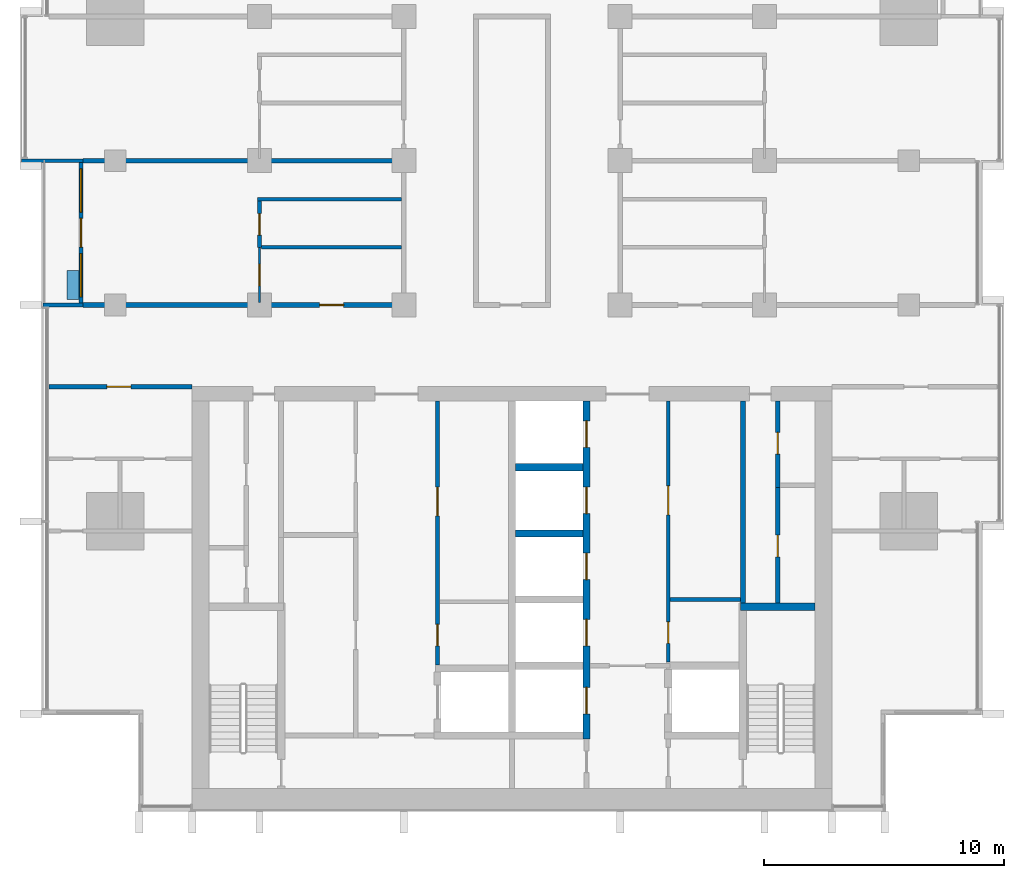
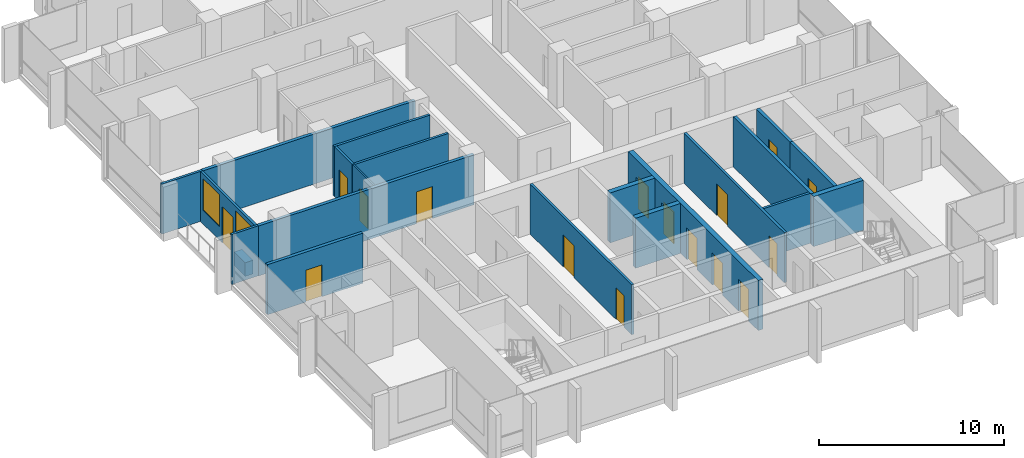
# One storey, part 8 of 16: 21 walls, 16 doors, 2 windows, 18 openings.
"""IFC4 building model written with IfcOpenShell, lengths in metres."""

from ifc_helpers import new_model, si_unit, direction, frame, frame_2d, origin, place, context, subcontext, project, spatial, rectangle, extrude, material, layer, layer_set, type_object, element, fill, save


model = new_model("IFC4")

# Units and contexts
model_context = context("Model", 3, precision=1e-05, world=origin(), true_north=direction((0.0, 1.0)))
body_context = subcontext(model_context, "Body", "Model", "MODEL_VIEW")
ifc_project = project(units=[si_unit("LENGTHUNIT", "METRE"), si_unit("AREAUNIT", "SQUARE_METRE"), si_unit("VOLUMEUNIT", "CUBIC_METRE"), si_unit("PLANEANGLEUNIT", "RADIAN"), si_unit("MASSUNIT", "GRAM", prefix="KILO")], contexts=[model_context])

# Site, building, storey
site_placement = place(None, origin())
site = spatial("IfcSite", under=ifc_project, at=site_placement, CompositionType="ELEMENT")
building_placement = place(site_placement, origin())
building = spatial("IfcBuilding", under=site, at=building_placement, Name="Finial Court Residences", CompositionType="ELEMENT")
storey_placement = place(building_placement, frame((0.0, 0.0, 178.10009765625)))
storey = spatial("IfcBuildingStorey", under=building, at=storey_placement, Name="L44", CompositionType="ELEMENT", Elevation=178.10009765625)

# Walls
ifc_material_1 = material(Name="Gypsum board")
ifc_layer_1 = layer(ifc_material_1, 0.02490234375)
ifc_material_2 = material(Name="Acoustic mineral wool in double frame")
ifc_layer_2 = layer(ifc_material_2, 0.14990234375)
ifc_layer_3 = layer(ifc_material_1, 0.02490234375)
ifc_layer_set_1 = layer_set([ifc_layer_1, ifc_layer_2, ifc_layer_3], Name="Acoustic party wall 200, 1 hour")
wall_type_1 = type_object("IfcWallType", Name="Acoustic party wall 200, 1 hour", PredefinedType="PARTITIONING", material=ifc_layer_set_1)
wall_1_placement = place(storey_placement, frame((-17.85009765625, 1.5, 0.0), z_axis=(0.0, 0.0, 1.0), x_axis=(1.0, 0.0, 0.0)))
element("IfcWall", 1, at=wall_1_placement, inside=storey, type_object=wall_type_1, Name="Partition L44-013", PredefinedType="PARTITIONING", context=body_context, shape_type="SweptSolid", body=[
    extrude(rectangle(XDim=13.25, YDim=0.199951171875, at=frame_2d((6.625, 0.0))), origin(), (0.0, 0.0, 1.0), 3.2998046875),
])
ifc_material_3 = material(Name="Fire-rated gypsum board partition")
ifc_layer_4 = layer(ifc_material_3, 0.14990234375)
ifc_layer_set_2 = layer_set([ifc_layer_4], Name="Core room partition 150 EI 60")
wall_type_2 = type_object("IfcWallType", Name="Core room partition 150 EI 60", PredefinedType="PARTITIONING", material=ifc_layer_set_2)
wall_2_placement = place(storey_placement, frame((6.574951171875, -16.75, 0.0), z_axis=(0.0, 0.0, 1.0), x_axis=(1.0, 0.0, 0.0)))
element("IfcWall", 2, at=wall_2_placement, inside=storey, type_object=wall_type_2, Name="Core partition L44-13", PredefinedType="PARTITIONING", context=body_context, shape_type="SweptSolid", body=[
    extrude(rectangle(XDim=2.925048828125, YDim=0.14990234375, at=frame_2d((1.46240234375, 0.0))), origin(), (0.0, 0.0, 1.0), 3.2998046875),
])

# Wall, openings, doors
wall_3_placement = place(storey_placement, frame((-3.10009765625, -8.5, 0.0), z_axis=(0.0, 0.0, 1.0), x_axis=(0.0, -1.0, 0.0)))
wall_3 = element("IfcWall", 3, at=wall_3_placement, inside=storey, type_object=wall_type_2, Name="Core partition L44-27", PredefinedType="PARTITIONING", context=body_context, shape_type="SweptSolid", body=[
    extrude(rectangle(XDim=10.969970703125, YDim=0.14990234375, at=frame_2d((5.48486328125, 0.0))), origin(), (0.0, 0.0, 1.0), 3.2998046875),
])
opening_1_placement = place(wall_3_placement, frame((9.280029296875, 0.0, 0.0)))
opening_1 = element("IfcOpeningElement", 4, at=opening_1_placement, cuts=wall_3, Name="Opening L44-C15", PredefinedType="OPENING", context=body_context, shape_type="SweptSolid", body=[
    extrude(rectangle(XDim=0.89990234375, YDim=2.10009765625, at=frame_2d((0.449951171875, 1.050048828125))), frame((0.0, 0.0849609375, 0.0), z_axis=(0.0, -1.0, 0.0), x_axis=(1.0, 0.0, 0.0)), (0.0, 0.0, 1.0), 0.169921875),
])
opening_2_placement = place(wall_3_placement, frame((3.570068359375, 0.0, 0.0)))
opening_2 = element("IfcOpeningElement", 5, at=opening_2_placement, cuts=wall_3, Name="Opening L44-C16", PredefinedType="OPENING", context=body_context, shape_type="SweptSolid", body=[
    extrude(rectangle(XDim=1.199951171875, YDim=2.10009765625, at=frame_2d((0.60009765625, 1.050048828125))), frame((0.0, 0.0849609375, 0.0), z_axis=(0.0, -1.0, 0.0), x_axis=(1.0, 0.0, 0.0)), (0.0, 0.0, 1.0), 0.169921875),
])
ifc_material_4 = material(Name="Steel fire door", Category="steel")
door_type_1 = type_object("IfcDoorType", Name="Core room door 1200 x 2100 EI 60", OperationType="NOTDEFINED", PredefinedType="DOOR", material=ifc_material_4)
door_1_placement = place(opening_2_placement, origin())
door_1 = element("IfcDoor", 6, at=door_1_placement, inside=storey, type_object=door_type_1, Name="Core room door L44-C16", OperationType="SINGLE_SWING_RIGHT", OverallHeight=2.10009765625, OverallWidth=1.199951171875, PredefinedType="DOOR", context=body_context, shape_type="SweptSolid", body=[
    extrude(rectangle(XDim=1.199951171875, YDim=2.10009765625, at=frame_2d((0.60009765625, 1.050048828125))), frame((0.0, 0.02490234375, 0.0), z_axis=(0.0, -1.0, 0.0), x_axis=(1.0, 0.0, 0.0)), (0.0, 0.0, 1.0), 0.050048828125),
])
fill(opening_2, door_1)
door_type_2 = type_object("IfcDoorType", Name="Core room door 900 x 2100 EI 60", OperationType="NOTDEFINED", PredefinedType="DOOR", material=ifc_material_4)
door_2_placement = place(opening_1_placement, origin())
door_2 = element("IfcDoor", 7, at=door_2_placement, inside=storey, type_object=door_type_2, Name="Core room door L44-C15", OperationType="SINGLE_SWING_RIGHT", OverallHeight=2.10009765625, OverallWidth=0.89990234375, PredefinedType="DOOR", context=body_context, shape_type="SweptSolid", body=[
    extrude(rectangle(XDim=0.89990234375, YDim=2.10009765625, at=frame_2d((0.449951171875, 1.050048828125))), frame((0.0, 0.02490234375, 0.0), z_axis=(0.0, -1.0, 0.0), x_axis=(1.0, 0.0, 0.0)), (0.0, 0.0, 1.0), 0.050048828125),
])
fill(opening_1, door_2)

wall_4_placement = place(storey_placement, frame((6.5, -8.5, 0.0), z_axis=(0.0, 0.0, 1.0), x_axis=(0.0, -1.0, 0.0)))
wall_4 = element("IfcWall", 8, at=wall_4_placement, inside=storey, type_object=wall_type_2, Name="Core partition L44-34", PredefinedType="PARTITIONING", context=body_context, shape_type="SweptSolid", body=[
    extrude(rectangle(XDim=10.85009765625, YDim=0.14990234375, at=frame_2d((5.425048828125, 0.0))), origin(), (0.0, 0.0, 1.0), 3.2998046875),
])
opening_3_placement = place(wall_4_placement, frame((9.175048828125, 0.0, 0.0)))
opening_3 = element("IfcOpeningElement", 9, at=opening_3_placement, cuts=wall_4, Name="Opening L44-C17", PredefinedType="OPENING", context=body_context, shape_type="SweptSolid", body=[
    extrude(rectangle(XDim=0.89990234375, YDim=2.10009765625, at=frame_2d((0.449951171875, 1.050048828125))), frame((0.0, 0.0849609375, 0.0), z_axis=(0.0, -1.0, 0.0), x_axis=(1.0, 0.0, 0.0)), (0.0, 0.0, 1.0), 0.169921875),
])
opening_4_placement = place(wall_4_placement, frame((3.52490234375, 0.0, 0.0)))
opening_4 = element("IfcOpeningElement", 10, at=opening_4_placement, cuts=wall_4, Name="Opening L44-C18", PredefinedType="OPENING", context=body_context, shape_type="SweptSolid", body=[
    extrude(rectangle(XDim=1.199951171875, YDim=2.10009765625, at=frame_2d((0.60009765625, 1.050048828125))), frame((0.0, 0.0849609375, 0.0), z_axis=(0.0, -1.0, 0.0), x_axis=(1.0, 0.0, 0.0)), (0.0, 0.0, 1.0), 0.169921875),
])
door_3_placement = place(opening_4_placement, origin())
door_3 = element("IfcDoor", 11, at=door_3_placement, inside=storey, type_object=door_type_1, Name="Core room door L44-C18", OperationType="SINGLE_SWING_RIGHT", OverallHeight=2.10009765625, OverallWidth=1.199951171875, PredefinedType="DOOR", context=body_context, shape_type="SweptSolid", body=[
    extrude(rectangle(XDim=1.199951171875, YDim=2.10009765625, at=frame_2d((0.60009765625, 1.050048828125))), frame((0.0, 0.02490234375, 0.0), z_axis=(0.0, -1.0, 0.0), x_axis=(1.0, 0.0, 0.0)), (0.0, 0.0, 1.0), 0.050048828125),
])
fill(opening_4, door_3)
door_4_placement = place(opening_3_placement, origin())
door_4 = element("IfcDoor", 12, at=door_4_placement, inside=storey, type_object=door_type_2, Name="Core room door L44-C17", OperationType="SINGLE_SWING_RIGHT", OverallHeight=2.10009765625, OverallWidth=0.89990234375, PredefinedType="DOOR", context=body_context, shape_type="SweptSolid", body=[
    extrude(rectangle(XDim=0.89990234375, YDim=2.10009765625, at=frame_2d((0.449951171875, 1.050048828125))), frame((0.0, 0.02490234375, 0.0), z_axis=(0.0, -1.0, 0.0), x_axis=(1.0, 0.0, 0.0)), (0.0, 0.0, 1.0), 0.050048828125),
])
fill(opening_3, door_4)

# Wall, opening, door
ifc_layer_5 = layer(ifc_material_1, 0.02490234375)
ifc_layer_6 = layer(ifc_material_2, 0.14990234375)
ifc_layer_7 = layer(ifc_material_1, 0.02490234375)
ifc_layer_set_3 = layer_set([ifc_layer_5, ifc_layer_6, ifc_layer_7], Name="Corridor wall 200, 1 hour")
wall_type_3 = type_object("IfcWallType", Name="Corridor wall 200, 1 hour", PredefinedType="PARTITIONING", material=ifc_layer_set_3)
wall_5_placement = place(storey_placement, frame((-19.262451171875, -7.89990234375, 0.0), z_axis=(0.0, 0.0, 1.0), x_axis=(1.0, 0.0, 0.0)))
wall_5 = element("IfcWall", 13, at=wall_5_placement, inside=storey, type_object=wall_type_3, Name="Partition L44-004", PredefinedType="PARTITIONING", context=body_context, shape_type="SweptSolid", body=[
    extrude(rectangle(XDim=5.96240234375, YDim=0.199951171875, at=frame_2d((2.981201171875, 0.0))), origin(), (0.0, 0.0, 1.0), 3.2998046875),
])
opening_5_placement = place(wall_5_placement, frame((2.412109375, 0.0, 0.0)))
opening_5 = element("IfcOpeningElement", 14, at=opening_5_placement, cuts=wall_5, Name="Opening L44-D007", PredefinedType="OPENING", context=body_context, shape_type="SweptSolid", body=[
    extrude(rectangle(XDim=1.0, YDim=2.10009765625, at=frame_2d((0.5, 1.050048828125))), frame((0.0, 0.10986328125, 0.0), z_axis=(0.0, -1.0, 0.0), x_axis=(1.0, 0.0, 0.0)), (0.0, 0.0, 1.0), 0.219970703125),
])
ifc_material_5 = material(Name="Timber door leaf in hollow metal frame", Category="wood")
door_type_3 = type_object("IfcDoorType", Name="Fire door set 1000 x 2100, 30 minutes", OperationType="SINGLE_SWING_LEFT", PredefinedType="DOOR", material=ifc_material_5)
door_5_placement = place(opening_5_placement, origin())
door_5 = element("IfcDoor", 15, at=door_5_placement, inside=storey, type_object=door_type_3, Name="Door L44-D007", OperationType="SINGLE_SWING_LEFT", OverallHeight=2.10009765625, OverallWidth=1.0, PredefinedType="DOOR", context=body_context, shape_type="SweptSolid", body=[
    extrude(rectangle(XDim=1.0, YDim=2.10009765625, at=frame_2d((0.5, 1.050048828125))), frame((0.0, 0.02490234375, 0.0), z_axis=(0.0, -1.0, 0.0), x_axis=(1.0, 0.0, 0.0)), (0.0, 0.0, 1.0), 0.050048828125),
])
fill(opening_5, door_5)

wall_6_placement = place(storey_placement, frame((-17.85009765625, -4.5, 0.0), z_axis=(0.0, 0.0, 1.0), x_axis=(1.0, 0.0, 0.0)))
wall_6 = element("IfcWall", 16, at=wall_6_placement, inside=storey, type_object=wall_type_3, Name="Partition L44-006", PredefinedType="PARTITIONING", context=body_context, shape_type="SweptSolid", body=[
    extrude(rectangle(XDim=13.4501953125, YDim=0.199951171875, at=frame_2d((6.72509765625, 0.0))), origin(), (0.0, 0.0, 1.0), 3.2998046875),
])
opening_6_placement = place(wall_6_placement, frame((9.85009765625, 0.0, 0.0)))
opening_6 = element("IfcOpeningElement", 17, at=opening_6_placement, cuts=wall_6, Name="Opening L44-D009", PredefinedType="OPENING", context=body_context, shape_type="SweptSolid", body=[
    extrude(rectangle(XDim=1.0, YDim=2.10009765625, at=frame_2d((0.5, 1.050048828125))), frame((0.0, 0.10986328125, 0.0), z_axis=(0.0, -1.0, 0.0), x_axis=(1.0, 0.0, 0.0)), (0.0, 0.0, 1.0), 0.219970703125),
])
door_6_placement = place(opening_6_placement, origin())
door_6 = element("IfcDoor", 18, at=door_6_placement, inside=storey, type_object=door_type_3, Name="Door L44-D009", OperationType="SINGLE_SWING_LEFT", OverallHeight=2.10009765625, OverallWidth=1.0, PredefinedType="DOOR", context=body_context, shape_type="SweptSolid", body=[
    extrude(rectangle(XDim=1.0, YDim=2.10009765625, at=frame_2d((0.5, 1.050048828125))), frame((0.0, 0.02490234375, 0.0), z_axis=(0.0, -1.0, 0.0), x_axis=(1.0, 0.0, 0.0)), (0.0, 0.0, 1.0), 0.050048828125),
])
fill(opening_6, door_6)

ifc_layer_8 = layer(ifc_material_1, 0.012451171875)
ifc_material_6 = material(Name="Mineral wool in light-gauge frame")
ifc_layer_9 = layer(ifc_material_6, 0.074951171875)
ifc_layer_10 = layer(ifc_material_1, 0.012451171875)
ifc_layer_set_4 = layer_set([ifc_layer_8, ifc_layer_9, ifc_layer_10], Name="Gypsum board partition 100")
wall_type_4 = type_object("IfcWallType", Name="Gypsum board partition 100", PredefinedType="PARTITIONING", material=ifc_layer_set_4)
wall_7_placement = place(storey_placement, frame((-10.5, -4.39990234375, 0.0), z_axis=(0.0, 0.0, 1.0), x_axis=(0.0, 1.0, 0.0)))
wall_7 = element("IfcWall", 19, at=wall_7_placement, inside=storey, type_object=wall_type_4, Name="Partition L44-037", PredefinedType="PARTITIONING", context=body_context, shape_type="SweptSolid", body=[
    extrude(rectangle(XDim=2.2998046875, YDim=0.10009765625, at=frame_2d((1.14990234375, 0.0))), origin(), (0.0, 0.0, 1.0), 3.2998046875),
])
opening_7_placement = place(wall_7_placement, frame((0.699951171875, 0.0, 0.0)))
opening_7 = element("IfcOpeningElement", 20, at=opening_7_placement, cuts=wall_7, Name="Opening L44-D023", PredefinedType="OPENING", context=body_context, shape_type="SweptSolid", body=[
    extrude(rectangle(XDim=0.89990234375, YDim=2.10009765625, at=frame_2d((0.449951171875, 1.050048828125))), frame((0.0, 0.06005859375, 0.0), z_axis=(0.0, -1.0, 0.0), x_axis=(1.0, 0.0, 0.0)), (0.0, 0.0, 1.0), 0.1201171875),
])
ifc_material_7 = material(Name="Timber door leaf in timber frame", Category="wood")
door_type_4 = type_object("IfcDoorType", Name="Door set 900 x 2100", OperationType="SINGLE_SWING_LEFT", PredefinedType="DOOR", material=ifc_material_7)
door_7_placement = place(opening_7_placement, origin())
door_7 = element("IfcDoor", 21, at=door_7_placement, inside=storey, type_object=door_type_4, Name="Door L44-D023", OperationType="SINGLE_SWING_LEFT", OverallHeight=2.10009765625, OverallWidth=0.89990234375, PredefinedType="DOOR", context=body_context, shape_type="SweptSolid", body=[
    extrude(rectangle(XDim=0.89990234375, YDim=2.10009765625, at=frame_2d((0.449951171875, 1.050048828125))), frame((0.0, 0.02490234375, 0.0), z_axis=(0.0, -1.0, 0.0), x_axis=(1.0, 0.0, 0.0)), (0.0, 0.0, 1.0), 0.050048828125),
])
fill(opening_7, door_7)

# Walls
ifc_material_8 = material(Name="Moisture-resistant gypsum board")
ifc_layer_11 = layer(ifc_material_8, 0.012451171875)
ifc_layer_12 = layer(ifc_material_6, 0.125)
ifc_layer_13 = layer(ifc_material_8, 0.012451171875)
ifc_layer_set_5 = layer_set([ifc_layer_11, ifc_layer_12, ifc_layer_13], Name="Gypsum board wet-area partition 150")
wall_type_5 = type_object("IfcWallType", Name="Gypsum board wet-area partition 150", PredefinedType="PARTITIONING", material=ifc_layer_set_5)
wall_8_placement = place(storey_placement, frame((-10.425048828125, -2.10009765625, 0.0), z_axis=(0.0, 0.0, 1.0), x_axis=(1.0, 0.0, 0.0)))
element("IfcWall", 22, at=wall_8_placement, inside=storey, type_object=wall_type_5, Name="Partition L44-009", PredefinedType="PARTITIONING", context=body_context, shape_type="SweptSolid", body=[
    extrude(rectangle(XDim=5.824951171875, YDim=0.14990234375, at=frame_2d((2.91259765625, 0.0))), origin(), (0.0, 0.0, 1.0), 3.2998046875),
])
wall_9_placement = place(storey_placement, frame((-10.574951171875, -0.10009765625, 0.0), z_axis=(0.0, 0.0, 1.0), x_axis=(1.0, 0.0, 0.0)))
element("IfcWall", 23, at=wall_9_placement, inside=storey, type_object=wall_type_5, Name="Partition L44-011", PredefinedType="PARTITIONING", context=body_context, shape_type="SweptSolid", body=[
    extrude(rectangle(XDim=5.974853515625, YDim=0.14990234375, at=frame_2d((2.9873046875, 0.0))), origin(), (0.0, 0.0, 1.0), 3.2998046875),
])

# Wall, opening, door
wall_10_placement = place(storey_placement, frame((-10.5, -2.10009765625, 0.0), z_axis=(0.0, 0.0, 1.0), x_axis=(0.0, 1.0, 0.0)))
wall_10 = element("IfcWall", 24, at=wall_10_placement, inside=storey, type_object=wall_type_5, Name="Partition L44-040", PredefinedType="PARTITIONING", context=body_context, shape_type="SweptSolid", body=[
    extrude(rectangle(XDim=1.925048828125, YDim=0.14990234375, at=frame_2d((0.96240234375, 0.0))), origin(), (0.0, 0.0, 1.0), 3.2998046875),
])
opening_8_placement = place(wall_10_placement, frame((0.5, 0.0, 0.0)))
opening_8 = element("IfcOpeningElement", 25, at=opening_8_placement, cuts=wall_10, Name="Opening L44-D026", PredefinedType="OPENING", context=body_context, shape_type="SweptSolid", body=[
    extrude(rectangle(XDim=0.89990234375, YDim=2.10009765625, at=frame_2d((0.449951171875, 1.050048828125))), frame((0.0, 0.0849609375, 0.0), z_axis=(0.0, -1.0, 0.0), x_axis=(1.0, 0.0, 0.0)), (0.0, 0.0, 1.0), 0.169921875),
])
door_8_placement = place(opening_8_placement, origin())
door_8 = element("IfcDoor", 26, at=door_8_placement, inside=storey, type_object=door_type_4, Name="Door L44-D026", OperationType="SINGLE_SWING_RIGHT", OverallHeight=2.10009765625, OverallWidth=0.89990234375, PredefinedType="DOOR", context=body_context, shape_type="SweptSolid", body=[
    extrude(rectangle(XDim=0.89990234375, YDim=2.10009765625, at=frame_2d((0.449951171875, 1.050048828125))), frame((0.0, 0.02490234375, 0.0), z_axis=(0.0, -1.0, 0.0), x_axis=(1.0, 0.0, 0.0)), (0.0, 0.0, 1.0), 0.050048828125),
])
fill(opening_8, door_8)

# Walls
ifc_material_9 = material(Name="Concrete C70/85", Category="concrete")
ifc_layer_14 = layer(ifc_material_9, 0.300048828125)
ifc_layer_set_6 = layer_set([ifc_layer_14], Name="Lift shaft and stair wall 300 Concrete C70/85")
wall_type_6 = type_object("IfcWallType", Name="Lift shaft and stair wall 300 Concrete C70/85", PredefinedType="SHEAR", material=ifc_layer_set_6)
wall_11_placement = place(storey_placement, frame((9.5, -17.050048828125, 0.0), z_axis=(0.0, 0.0, 1.0), x_axis=(1.0, 0.0, 0.0)))
element("IfcWall", 27, at=wall_11_placement, inside=storey, type_object=wall_type_6, Name="Core wall L44-10", PredefinedType="SHEAR", context=body_context, shape_type="SweptSolid", body=[
    extrude(rectangle(XDim=3.10009765625, YDim=0.300048828125, at=frame_2d((1.550048828125, 0.0))), origin(), (0.0, 0.0, 1.0), 3.2998046875),
])
for number, where, z_axis, x_axis, name in (
    (28, (0.14990234375, -14.0, 0.0), (0.0, 0.0, 1.0), (1.0, 0.0, 0.0), "Core wall L44-16"),
    (29, (0.14990234375, -11.25, 0.0), (0.0, 0.0, 1.0), (1.0, 0.0, 0.0), "Core wall L44-18"),
):
    element("IfcWall", number, at=place(storey_placement, frame(where, z_axis=z_axis, x_axis=x_axis)), inside=storey, type_object=wall_type_6, Name=name, PredefinedType="SHEAR", context=body_context, shape_type="SweptSolid", body=[
        extrude(rectangle(XDim=2.800048828125, YDim=0.300048828125, at=frame_2d((1.39990234375, 0.0))), origin(), (0.0, 0.0, 1.0), 3.2998046875),
    ])

# Wall, openings, doors
wall_12_placement = place(storey_placement, frame((3.10009765625, -22.550048828125, 0.0), z_axis=(0.0, 0.0, 1.0), x_axis=(0.0, 1.0, 0.0)))
wall_12 = element("IfcWall", 30, at=wall_12_placement, inside=storey, type_object=wall_type_6, Name="Core wall L44-31", PredefinedType="SHEAR", context=body_context, shape_type="SweptSolid", body=[
    extrude(rectangle(XDim=14.050048828125, YDim=0.300048828125, at=frame_2d((7.02490234375, 0.0))), origin(), (0.0, 0.0, 1.0), 3.2998046875),
])
opening_9_placement = place(wall_12_placement, frame((1.050048828125, 0.0, 0.0)))
opening_9 = element("IfcOpeningElement", 31, at=opening_9_placement, cuts=wall_12, Name="Opening L44-LD01", PredefinedType="OPENING", context=body_context, shape_type="SweptSolid", body=[
    extrude(rectangle(XDim=1.10009765625, YDim=2.10009765625, at=frame_2d((0.550048828125, 1.050048828125))), frame((0.0, 0.159912109375, 0.0), z_axis=(0.0, -1.0, 0.0), x_axis=(1.0, 0.0, 0.0)), (0.0, 0.0, 1.0), 0.320068359375),
])
opening_10_placement = place(wall_12_placement, frame((3.875, 0.0, 0.0)))
opening_10 = element("IfcOpeningElement", 32, at=opening_10_placement, cuts=wall_12, Name="Opening L44-LD03", PredefinedType="OPENING", context=body_context, shape_type="SweptSolid", body=[
    extrude(rectangle(XDim=1.10009765625, YDim=2.10009765625, at=frame_2d((0.550048828125, 1.050048828125))), frame((0.0, 0.159912109375, 0.0), z_axis=(0.0, -1.0, 0.0), x_axis=(1.0, 0.0, 0.0)), (0.0, 0.0, 1.0), 0.320068359375),
])
opening_11_placement = place(wall_12_placement, frame((6.625, 0.0, 0.0)))
opening_11 = element("IfcOpeningElement", 33, at=opening_11_placement, cuts=wall_12, Name="Opening L44-LD04", PredefinedType="OPENING", context=body_context, shape_type="SweptSolid", body=[
    extrude(rectangle(XDim=1.10009765625, YDim=2.10009765625, at=frame_2d((0.550048828125, 1.050048828125))), frame((0.0, 0.159912109375, 0.0), z_axis=(0.0, -1.0, 0.0), x_axis=(1.0, 0.0, 0.0)), (0.0, 0.0, 1.0), 0.320068359375),
])
opening_12_placement = place(wall_12_placement, frame((9.375, 0.0, 0.0)))
opening_12 = element("IfcOpeningElement", 34, at=opening_12_placement, cuts=wall_12, Name="Opening L44-LD05", PredefinedType="OPENING", context=body_context, shape_type="SweptSolid", body=[
    extrude(rectangle(XDim=1.10009765625, YDim=2.10009765625, at=frame_2d((0.550048828125, 1.050048828125))), frame((0.0, 0.159912109375, 0.0), z_axis=(0.0, -1.0, 0.0), x_axis=(1.0, 0.0, 0.0)), (0.0, 0.0, 1.0), 0.320068359375),
])
opening_13_placement = place(wall_12_placement, frame((12.125, 0.0, 0.0)))
opening_13 = element("IfcOpeningElement", 35, at=opening_13_placement, cuts=wall_12, Name="Opening L44-LD06", PredefinedType="OPENING", context=body_context, shape_type="SweptSolid", body=[
    extrude(rectangle(XDim=1.10009765625, YDim=2.10009765625, at=frame_2d((0.550048828125, 1.050048828125))), frame((0.0, 0.159912109375, 0.0), z_axis=(0.0, -1.0, 0.0), x_axis=(1.0, 0.0, 0.0)), (0.0, 0.0, 1.0), 0.320068359375),
])
ifc_material_10 = material(Name="Stainless steel lift door", Category="steel")
door_type_5 = type_object("IfcDoorType", Name="Lift landing door 1100 x 2100 EI 90", OperationType="DOUBLE_DOOR_SLIDING", PredefinedType="DOOR", material=ifc_material_10)
door_9_placement = place(opening_9_placement, origin())
door_9 = element("IfcDoor", 36, at=door_9_placement, inside=storey, type_object=door_type_5, Name="Lift landing door FF1 L44", OperationType="DOUBLE_DOOR_SLIDING", OverallHeight=2.10009765625, OverallWidth=1.10009765625, PredefinedType="DOOR", context=body_context, shape_type="SweptSolid", body=[
    extrude(rectangle(XDim=1.10009765625, YDim=2.10009765625, at=frame_2d((0.550048828125, 1.050048828125))), frame((0.0, 0.02490234375, 0.0), z_axis=(0.0, -1.0, 0.0), x_axis=(1.0, 0.0, 0.0)), (0.0, 0.0, 1.0), 0.050048828125),
])
fill(opening_9, door_9)
door_10_placement = place(opening_10_placement, origin())
door_10 = element("IfcDoor", 37, at=door_10_placement, inside=storey, type_object=door_type_5, Name="Lift landing door HR1 L44", OperationType="DOUBLE_DOOR_SLIDING", OverallHeight=2.10009765625, OverallWidth=1.10009765625, PredefinedType="DOOR", context=body_context, shape_type="SweptSolid", body=[
    extrude(rectangle(XDim=1.10009765625, YDim=2.10009765625, at=frame_2d((0.550048828125, 1.050048828125))), frame((0.0, 0.02490234375, 0.0), z_axis=(0.0, -1.0, 0.0), x_axis=(1.0, 0.0, 0.0)), (0.0, 0.0, 1.0), 0.050048828125),
])
fill(opening_10, door_10)
door_11_placement = place(opening_11_placement, origin())
door_11 = element("IfcDoor", 38, at=door_11_placement, inside=storey, type_object=door_type_5, Name="Lift landing door HR2 L44", OperationType="DOUBLE_DOOR_SLIDING", OverallHeight=2.10009765625, OverallWidth=1.10009765625, PredefinedType="DOOR", context=body_context, shape_type="SweptSolid", body=[
    extrude(rectangle(XDim=1.10009765625, YDim=2.10009765625, at=frame_2d((0.550048828125, 1.050048828125))), frame((0.0, 0.02490234375, 0.0), z_axis=(0.0, -1.0, 0.0), x_axis=(1.0, 0.0, 0.0)), (0.0, 0.0, 1.0), 0.050048828125),
])
fill(opening_11, door_11)
door_12_placement = place(opening_12_placement, origin())
door_12 = element("IfcDoor", 39, at=door_12_placement, inside=storey, type_object=door_type_5, Name="Lift landing door HR3 L44", OperationType="DOUBLE_DOOR_SLIDING", OverallHeight=2.10009765625, OverallWidth=1.10009765625, PredefinedType="DOOR", context=body_context, shape_type="SweptSolid", body=[
    extrude(rectangle(XDim=1.10009765625, YDim=2.10009765625, at=frame_2d((0.550048828125, 1.050048828125))), frame((0.0, 0.02490234375, 0.0), z_axis=(0.0, -1.0, 0.0), x_axis=(1.0, 0.0, 0.0)), (0.0, 0.0, 1.0), 0.050048828125),
])
fill(opening_12, door_12)
door_13_placement = place(opening_13_placement, origin())
door_13 = element("IfcDoor", 40, at=door_13_placement, inside=storey, type_object=door_type_5, Name="Lift landing door HR4 L44", OperationType="DOUBLE_DOOR_SLIDING", OverallHeight=2.10009765625, OverallWidth=1.10009765625, PredefinedType="DOOR", context=body_context, shape_type="SweptSolid", body=[
    extrude(rectangle(XDim=1.10009765625, YDim=2.10009765625, at=frame_2d((0.550048828125, 1.050048828125))), frame((0.0, 0.02490234375, 0.0), z_axis=(0.0, -1.0, 0.0), x_axis=(1.0, 0.0, 0.0)), (0.0, 0.0, 1.0), 0.050048828125),
])
fill(opening_13, door_13)

# Walls
ifc_material_11 = material(Name="Natural limestone", Category="masonry")
ifc_layer_15 = layer(ifc_material_11, 0.14990234375)
ifc_layer_set_7 = layer_set([ifc_layer_15], Name="Limestone clad wall 150")
wall_type_7 = type_object("IfcWallType", Name="Limestone clad wall 150", PredefinedType="SOLIDWALL", material=ifc_layer_set_7)
wall_13_placement = place(storey_placement, frame((-17.85009765625, -4.5, 0.0), z_axis=(0.0, 0.0, 1.0), x_axis=(-1.0, 0.0, 0.0)))
element("IfcWall", 41, at=wall_13_placement, inside=storey, type_object=wall_type_7, Name="E-L44-BALW3-P1", PredefinedType="SOLIDWALL", context=body_context, shape_type="SweptSolid", body=[
    extrude(rectangle(XDim=1.64990234375, YDim=0.14990234375, at=frame_2d((0.824951171875, 0.0))), origin(), (0.0, 0.0, 1.0), 3.2998046875),
])
wall_14_placement = place(storey_placement, frame((-17.85009765625, 1.5, 0.0), z_axis=(0.0, 0.0, 1.0), x_axis=(-1.0, 0.0, 0.0)))
element("IfcWall", 42, at=wall_14_placement, inside=storey, type_object=wall_type_7, Name="E-L44-BALW3-P2", PredefinedType="SOLIDWALL", context=body_context, shape_type="SweptSolid", body=[
    extrude(rectangle(XDim=2.5498046875, YDim=0.14990234375, at=frame_2d((1.27490234375, 0.0))), origin(), (0.0, 0.0, 1.0), 3.2998046875),
])

# Wall, openings, door, windows
wall_15_placement = place(storey_placement, frame((-17.925048828125, -4.425048828125, 0.0), z_axis=(0.0, 0.0, 1.0), x_axis=(0.0, 1.0, 0.0)))
wall_15 = element("IfcWall", 43, at=wall_15_placement, inside=storey, type_object=wall_type_7, Name="E-L44-L44-BALW3-W", PredefinedType="SOLIDWALL", context=body_context, shape_type="SweptSolid", body=[
    extrude(rectangle(XDim=5.85009765625, YDim=0.14990234375, at=frame_2d((2.925048828125, 0.0))), origin(), (0.0, 0.0, 1.0), 3.2998046875),
])
opening_14_placement = place(wall_15_placement, frame((2.324951171875, 0.0, 0.0)))
opening_14 = element("IfcOpeningElement", 44, at=opening_14_placement, cuts=wall_15, Name="Opening DE44-03", PredefinedType="OPENING", context=body_context, shape_type="SweptSolid", body=[
    extrude(rectangle(XDim=1.199951171875, YDim=2.39990234375, at=frame_2d((0.60009765625, 1.199951171875))), frame((0.0, 0.0849609375, 0.0), z_axis=(0.0, -1.0, 0.0), x_axis=(1.0, 0.0, 0.0)), (0.0, 0.0, 1.0), 0.169921875),
])
opening_15_placement = place(wall_15_placement, frame((0.262451171875, 0.0, 0.89990234375)))
opening_15 = element("IfcOpeningElement", 45, at=opening_15_placement, cuts=wall_15, Name="Opening WE44-12", PredefinedType="OPENING", context=body_context, shape_type="SweptSolid", body=[
    extrude(rectangle(XDim=1.800048828125, YDim=2.10009765625, at=frame_2d((0.89990234375, 1.050048828125))), frame((0.0, 0.0849609375, 0.0), z_axis=(0.0, -1.0, 0.0), x_axis=(1.0, 0.0, 0.0)), (0.0, 0.0, 1.0), 0.169921875),
])
opening_16_placement = place(wall_15_placement, frame((3.78759765625, 0.0, 0.89990234375)))
opening_16 = element("IfcOpeningElement", 46, at=opening_16_placement, cuts=wall_15, Name="Opening WE44-13", PredefinedType="OPENING", context=body_context, shape_type="SweptSolid", body=[
    extrude(rectangle(XDim=1.800048828125, YDim=2.10009765625, at=frame_2d((0.89990234375, 1.050048828125))), frame((0.0, 0.0849609375, 0.0), z_axis=(0.0, -1.0, 0.0), x_axis=(1.0, 0.0, 0.0)), (0.0, 0.0, 1.0), 0.169921875),
])
ifc_material_12 = material(Name="Bronze anodised aluminium", Category="aluminium")
door_type_6 = type_object("IfcDoorType", Name="Balcony door 1200 x 2400", OperationType="SINGLE_SWING_LEFT", PredefinedType="DOOR", material=ifc_material_12)
door_14_placement = place(opening_14_placement, origin())
door_14 = element("IfcDoor", 47, at=door_14_placement, inside=storey, type_object=door_type_6, Name="E-L44-L44-BALW3-W-D", OperationType="SINGLE_SWING_LEFT", OverallHeight=2.39990234375, OverallWidth=1.199951171875, PredefinedType="DOOR", context=body_context, shape_type="SweptSolid", body=[
    extrude(rectangle(XDim=1.199951171875, YDim=2.39990234375, at=frame_2d((0.60009765625, 1.199951171875))), frame((0.0, 0.02490234375, 0.0), z_axis=(0.0, -1.0, 0.0), x_axis=(1.0, 0.0, 0.0)), (0.0, 0.0, 1.0), 0.050048828125),
])
fill(opening_14, door_14)
ifc_material_13 = material(Name="Clear low-e glass", Category="glass")
window_type = type_object("IfcWindowType", Name="Balcony window 1800 x 2100", PartitioningType="SINGLE_PANEL", PredefinedType="WINDOW", material=ifc_material_13)
window_1_placement = place(opening_15_placement, origin())
window_1 = element("IfcWindow", 48, at=window_1_placement, inside=storey, type_object=window_type, Name="E-L44-L44-BALW3-W-W1", OverallHeight=2.10009765625, OverallWidth=1.800048828125, PartitioningType="SINGLE_PANEL", PredefinedType="WINDOW", context=body_context, shape_type="SweptSolid", body=[
    extrude(rectangle(XDim=1.800048828125, YDim=2.10009765625, at=frame_2d((0.89990234375, 1.050048828125))), frame((0.0, 0.030029296875, 0.0), z_axis=(0.0, -1.0, 0.0), x_axis=(1.0, 0.0, 0.0)), (0.0, 0.0, 1.0), 0.06005859375),
])
fill(opening_15, window_1)
window_2_placement = place(opening_16_placement, origin())
window_2 = element("IfcWindow", 49, at=window_2_placement, inside=storey, type_object=window_type, Name="E-L44-L44-BALW3-W-W2", OverallHeight=2.10009765625, OverallWidth=1.800048828125, PartitioningType="SINGLE_PANEL", PredefinedType="WINDOW", context=body_context, shape_type="SweptSolid", body=[
    extrude(rectangle(XDim=1.800048828125, YDim=2.10009765625, at=frame_2d((0.89990234375, 1.050048828125))), frame((0.0, 0.030029296875, 0.0), z_axis=(0.0, -1.0, 0.0), x_axis=(1.0, 0.0, 0.0)), (0.0, 0.0, 1.0), 0.06005859375),
])
fill(opening_16, window_2)

# Wall
ifc_material_14 = material(Name="Concrete C40/50", Category="concrete")
ifc_layer_16 = layer(ifc_material_14, 0.10009765625)
ifc_material_15 = material(Name="Planting soil", Category="soil")
ifc_layer_17 = layer(ifc_material_15, 0.300048828125)
ifc_layer_18 = layer(ifc_material_14, 0.10009765625)
ifc_layer_set_8 = layer_set([ifc_layer_16, ifc_layer_17, ifc_layer_18], Name="Planter wall, balcony")
wall_type_8 = type_object("IfcWallType", Name="Planter wall, balcony", PredefinedType="USERDEFINED", material=ifc_layer_set_8)
wall_16_placement = place(storey_placement, frame((-18.25, -4.27490234375, 0.0), z_axis=(0.0, 0.0, 1.0), x_axis=(0.0, 1.0, 0.0)))
element("IfcWall", 50, at=wall_16_placement, inside=storey, type_object=wall_type_8, Name="E-L44-BALW3-PL", ObjectType="PLANTER", PredefinedType="USERDEFINED", context=body_context, shape_type="SweptSolid", body=[
    extrude(rectangle(XDim=1.199951171875, YDim=0.5, at=frame_2d((0.60009765625, 0.0))), origin(), (0.0, 0.0, 1.0), 0.89990234375),
])

# Wall, opening, door
ifc_layer_19 = layer(ifc_material_3, 0.199951171875)
ifc_layer_set_9 = layer_set([ifc_layer_19], Name="Riser room wall 200 EI 120")
wall_type_9 = type_object("IfcWallType", Name="Riser room wall 200 EI 120", PredefinedType="PARTITIONING", material=ifc_layer_set_9)
wall_17_placement = place(storey_placement, frame((11.050048828125, -8.5, 0.0), z_axis=(0.0, 0.0, 1.0), x_axis=(0.0, -1.0, 0.0)))
wall_17 = element("IfcWall", 51, at=wall_17_placement, inside=storey, type_object=wall_type_9, Name="Core partition L44-38", PredefinedType="PARTITIONING", context=body_context, shape_type="SweptSolid", body=[
    extrude(rectangle(XDim=3.60009765625, YDim=0.199951171875, at=frame_2d((1.800048828125, 0.0))), origin(), (0.0, 0.0, 1.0), 3.2998046875),
])
opening_17_placement = place(wall_17_placement, frame((1.300048828125, 0.0, 0.0)))
opening_17 = element("IfcOpeningElement", 52, at=opening_17_placement, cuts=wall_17, Name="Opening L44-C08", PredefinedType="OPENING", context=body_context, shape_type="SweptSolid", body=[
    extrude(rectangle(XDim=0.89990234375, YDim=2.10009765625, at=frame_2d((0.449951171875, 1.050048828125))), frame((0.0, 0.10986328125, 0.0), z_axis=(0.0, -1.0, 0.0), x_axis=(1.0, 0.0, 0.0)), (0.0, 0.0, 1.0), 0.219970703125),
])
door_type_7 = type_object("IfcDoorType", Name="Riser room door 900 x 2100 EI 90", OperationType="NOTDEFINED", PredefinedType="DOOR", material=ifc_material_4)
door_15_placement = place(opening_17_placement, origin())
door_15 = element("IfcDoor", 53, at=door_15_placement, inside=storey, type_object=door_type_7, Name="Riser room door L44-C08", OperationType="SINGLE_SWING_RIGHT", OverallHeight=2.10009765625, OverallWidth=0.89990234375, PredefinedType="DOOR", context=body_context, shape_type="SweptSolid", body=[
    extrude(rectangle(XDim=0.89990234375, YDim=2.10009765625, at=frame_2d((0.449951171875, 1.050048828125))), frame((0.0, 0.02490234375, 0.0), z_axis=(0.0, -1.0, 0.0), x_axis=(1.0, 0.0, 0.0)), (0.0, 0.0, 1.0), 0.050048828125),
])
fill(opening_17, door_15)

# Wall
ifc_layer_20 = layer(ifc_material_3, 0.199951171875)
ifc_layer_set_10 = layer_set([ifc_layer_20], Name="Stair passage wall 200 EI 180")
wall_type_10 = type_object("IfcWallType", Name="Stair passage wall 200 EI 180", PredefinedType="PARTITIONING", material=ifc_layer_set_10)
wall_18_placement = place(storey_placement, frame((9.60009765625, -16.89990234375, 0.0), z_axis=(0.0, 0.0, 1.0), x_axis=(0.0, 1.0, 0.0)))
element("IfcWall", 54, at=wall_18_placement, inside=storey, type_object=wall_type_10, Name="Core partition L44-36", PredefinedType="PARTITIONING", context=body_context, shape_type="SweptSolid", body=[
    extrude(rectangle(XDim=8.39990234375, YDim=0.199951171875, at=frame_2d((4.199951171875, 0.0))), origin(), (0.0, 0.0, 1.0), 3.2998046875),
])

# Wall, opening, door
wall_19_placement = place(storey_placement, frame((11.050048828125, -11.89990234375, 0.0), z_axis=(0.0, 0.0, 1.0), x_axis=(0.0, -1.0, 0.0)))
wall_19 = element("IfcWall", 55, at=wall_19_placement, inside=storey, type_object=wall_type_10, Name="Core partition L44-37", PredefinedType="PARTITIONING", context=body_context, shape_type="SweptSolid", body=[
    extrude(rectangle(XDim=5.0, YDim=0.199951171875, at=frame_2d((2.5, 0.0))), origin(), (0.0, 0.0, 1.0), 3.2998046875),
])
opening_18_placement = place(wall_19_placement, frame((2.175048828125, 0.0, 0.0)))
opening_18 = element("IfcOpeningElement", 56, at=opening_18_placement, cuts=wall_19, Name="Opening L44-C13", PredefinedType="OPENING", context=body_context, shape_type="SweptSolid", body=[
    extrude(rectangle(XDim=0.89990234375, YDim=2.10009765625, at=frame_2d((0.449951171875, 1.050048828125))), frame((0.0, 0.10986328125, 0.0), z_axis=(0.0, -1.0, 0.0), x_axis=(1.0, 0.0, 0.0)), (0.0, 0.0, 1.0), 0.219970703125),
])
door_16_placement = place(opening_18_placement, origin())
door_16 = element("IfcDoor", 57, at=door_16_placement, inside=storey, type_object=door_type_2, Name="Core room door L44-C13", OperationType="SINGLE_SWING_RIGHT", OverallHeight=2.10009765625, OverallWidth=0.89990234375, PredefinedType="DOOR", context=body_context, shape_type="SweptSolid", body=[
    extrude(rectangle(XDim=0.89990234375, YDim=2.10009765625, at=frame_2d((0.449951171875, 1.050048828125))), frame((0.0, 0.02490234375, 0.0), z_axis=(0.0, -1.0, 0.0), x_axis=(1.0, 0.0, 0.0)), (0.0, 0.0, 1.0), 0.050048828125),
])
fill(opening_18, door_16)

save(model, "model.ifc")
